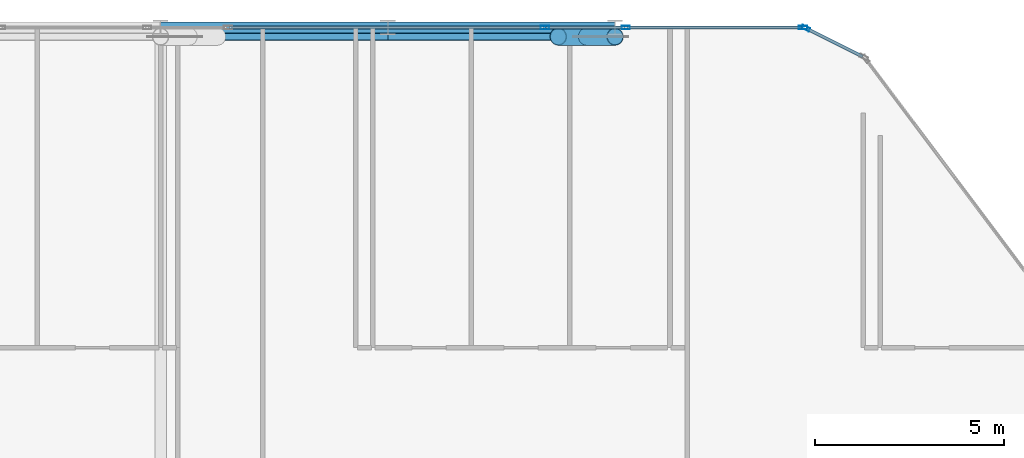
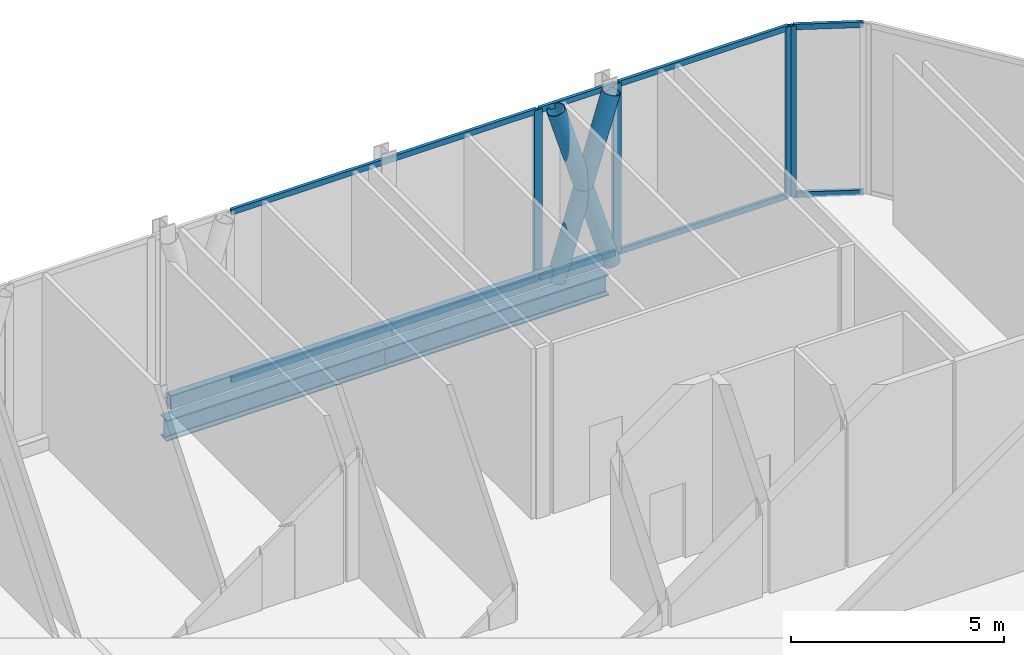
# One storey, part 17 of 36: 17 members, 2 beams, 4 elements without a shape of their own.
"""IFC4 building model written with IfcOpenShell, lengths in metres."""

from ifc_helpers import new_model, si_unit, direction, frame, origin, origin_2d, place, context, subcontext, project, spatial, hollow_rectangle, hollow_circle, i_section, extrude, material, layer, layer_set, material_profile, profile_set, type_object, element, aggregate, save


model = new_model("IFC4")

# Units and contexts
model_context = context("Model", 3, precision=1e-05, world=origin(), true_north=direction((0.0, 1.0)))
body_context = subcontext(model_context, "Body", "Model", "MODEL_VIEW")
ifc_project = project(units=[si_unit("LENGTHUNIT", "METRE"), si_unit("AREAUNIT", "SQUARE_METRE"), si_unit("VOLUMEUNIT", "CUBIC_METRE"), si_unit("PLANEANGLEUNIT", "RADIAN"), si_unit("MASSUNIT", "GRAM", prefix="KILO")], contexts=[model_context])

# Site, building, storey
site_placement = place(None, origin())
site = spatial("IfcSite", under=ifc_project, at=site_placement, CompositionType="ELEMENT")
building_placement = place(site_placement, origin())
building = spatial("IfcBuilding", under=site, at=building_placement, Name="Keshet Zoharim Tower", CompositionType="ELEMENT")
storey_placement = place(building_placement, frame((0.0, 0.0, 81.199951171875)))
storey = spatial("IfcBuildingStorey", under=building, at=storey_placement, Name="L19", CompositionType="ELEMENT", Elevation=81.199951171875)

# Beams
ifc_material_1 = material(Name="Steel S355", Category="steel")
ifc_material_profile_1 = material_profile(ifc_material_1, i_section(OverallWidth=0.300048828125, OverallDepth=0.60009765625, WebThickness=0.015380859375, FlangeThickness=0.030029296875, FilletRadius=0.027099609375, at=origin_2d()), Name="HEB600")
ifc_profile_set_1 = profile_set([ifc_material_profile_1], Name="Steel S355")
beam_type = type_object("IfcBeamType", Name="BM-WEB-HB600", PredefinedType="BEAM", material=ifc_profile_set_1)
for number, where, z_axis, x_axis, name in (
    (1, (33.0, 53.89990234375, -0.719970703125), (1.0, 0.0, 0.0), (0.0, 1.0, 0.0), "L19 Primary Girder X-031"),
    (2, (39.0, 53.89990234375, -0.719970703125), (1.0, 0.0, 0.0), (0.0, 1.0, 0.0), "L19 Primary Girder X-032"),
):
    element("IfcBeam", number, at=place(storey_placement, frame(where, z_axis=z_axis, x_axis=x_axis)), inside=storey, type_object=beam_type, Name=name, PredefinedType="BEAM", context=body_context, shape_type="SweptSolid", body=[
        extrude(i_section(OverallWidth=0.300048828125, OverallDepth=0.60009765625, WebThickness=0.015380859375, FlangeThickness=0.030029296875, FilletRadius=0.027099609375, at=origin_2d()), origin(), (0.0, 0.0, 1.0), 6.0),
    ])

# Curtain wall, member
ifc_material_2 = material(Name="Aluminium 6063-T6", Category="aluminium")
ifc_layer = layer(ifc_material_2, 0.169921875)
ifc_layer_set = layer_set([ifc_layer], Name="Aluminium 6063-T6")
curtain_wall_type = type_object("IfcCurtainWallType", Name="CW-SYS-02", PredefinedType="NOTDEFINED", material=ifc_layer_set)
curtain_wall_1_placement = place(storey_placement, origin())
curtain_wall_1 = element("IfcCurtainWall", 3, at=curtain_wall_1_placement, inside=storey, type_object=curtain_wall_type, Name="L19 Unitised Curtain Wall 07 Part 7", PredefinedType="NOTDEFINED")
ifc_material_profile_2 = material_profile(ifc_material_2, hollow_rectangle(XDim=0.090087890625, YDim=0.219970703125, WallThickness=0.0048828125, at=origin_2d()), Name="MUL-90x220")
ifc_profile_set_2 = profile_set([ifc_material_profile_2], Name="Aluminium 6063-T6")
member_type_1 = type_object("IfcMemberType", Name="CWM-M22", PredefinedType="MULLION", material=ifc_profile_set_2)
member_1_placement = place(storey_placement, frame((43.146484375, 53.89990234375, 0.0), z_axis=(0.0, 0.0, 1.0), x_axis=(0.0, 1.0, 0.0)))
member_1 = element("IfcMember", 4, at=member_1_placement, type_object=member_type_1, Name="CW-02 mullion 2", PredefinedType="MULLION", context=body_context, shape_type="SweptSolid", body=[
    extrude(hollow_rectangle(XDim=0.090087890625, YDim=0.219970703125, WallThickness=0.0048828125, at=origin_2d()), origin(), (0.0, 0.0, 1.0), 4.885009765625),
])

curtain_wall_2_placement = place(storey_placement, origin())
curtain_wall_2 = element("IfcCurtainWall", 5, at=curtain_wall_2_placement, inside=storey, type_object=curtain_wall_type, Name="L19 Unitised Curtain Wall 07 Part 8", PredefinedType="NOTDEFINED")
member_2_placement = place(storey_placement, frame((45.283447265625, 53.89990234375, 0.0), z_axis=(0.0, 0.0, 1.0), x_axis=(0.0, 1.0, 0.0)))
member_2 = element("IfcMember", 6, at=member_2_placement, type_object=member_type_1, Name="CW-02 mullion 2", PredefinedType="MULLION", context=body_context, shape_type="SweptSolid", body=[
    extrude(hollow_rectangle(XDim=0.090087890625, YDim=0.219970703125, WallThickness=0.0048828125, at=origin_2d()), origin(), (0.0, 0.0, 1.0), 4.885009765625),
])

curtain_wall_3_placement = place(storey_placement, origin())
curtain_wall_3 = element("IfcCurtainWall", 7, at=curtain_wall_3_placement, inside=storey, type_object=curtain_wall_type, Name="L19 Unitised Curtain Wall 07 Part 9", PredefinedType="NOTDEFINED")
member_3_placement = place(storey_placement, frame((49.965087890625, 53.89990234375, 0.0), z_axis=(0.0, 0.0, 1.0), x_axis=(0.0, 1.0, 0.0)))
member_3 = element("IfcMember", 8, at=member_3_placement, type_object=member_type_1, Name="CW-02 mullion 2", PredefinedType="MULLION", context=body_context, shape_type="SweptSolid", body=[
    extrude(hollow_rectangle(XDim=0.090087890625, YDim=0.219970703125, WallThickness=0.0048828125, at=origin_2d()), origin(), (0.0, 0.0, 1.0), 4.885009765625),
])

curtain_wall_4_placement = place(storey_placement, origin())
curtain_wall_4 = element("IfcCurtainWall", 9, at=curtain_wall_4_placement, inside=storey, type_object=curtain_wall_type, Name="L19 Unitised Curtain Wall 08", PredefinedType="NOTDEFINED")
member_4_placement = place(storey_placement, frame((50.03125, 53.88427734375, 0.0), z_axis=(0.0, 0.0, 1.0), x_axis=(0.447213595499, 0.894427191001, 0.0)))
member_4 = element("IfcMember", 10, at=member_4_placement, type_object=member_type_1, Name="CW-02 mullion 1", PredefinedType="MULLION", context=body_context, shape_type="SweptSolid", body=[
    extrude(hollow_rectangle(XDim=0.090087890625, YDim=0.219970703125, WallThickness=0.0048828125, at=origin_2d()), origin(), (0.0, 0.0, 1.0), 4.885009765625),
])

# Member
ifc_material_profile_3 = material_profile(ifc_material_2, hollow_rectangle(XDim=0.0849609375, YDim=0.159912109375, WallThickness=0.00439453125, at=origin_2d()), Name="TRN-85x160")
ifc_profile_set_3 = profile_set([ifc_material_profile_3], Name="Aluminium 6063-T6")
member_type_2 = type_object("IfcMemberType", Name="CWT-T16", PredefinedType="USERDEFINED", material=ifc_profile_set_3)
member_5_placement = place(storey_placement, frame((34.818359375, 53.89990234375, 0.03515625), z_axis=(1.0, 0.0, 0.0), x_axis=(0.0, 1.0, 0.0)))
member_5 = element("IfcMember", 11, at=member_5_placement, type_object=member_type_2, Name="CW-02 transom 1.1", ObjectType="TRANSOM", PredefinedType="USERDEFINED", context=body_context, shape_type="SweptSolid", body=[
    extrude(hollow_rectangle(XDim=0.0849609375, YDim=0.159912109375, WallThickness=0.00439453125, at=origin_2d()), origin(), (0.0, 0.0, 1.0), 8.293212890625),
])

member_6_placement = place(storey_placement, frame((34.818359375, 53.89990234375, 4.85009765625), z_axis=(1.0, 0.0, 0.0), x_axis=(0.0, 1.0, 0.0)))
member_6 = element("IfcMember", 12, at=member_6_placement, type_object=member_type_2, Name="CW-02 transom 1.2", ObjectType="TRANSOM", PredefinedType="USERDEFINED", context=body_context, shape_type="SweptSolid", body=[
    extrude(hollow_rectangle(XDim=0.0849609375, YDim=0.159912109375, WallThickness=0.00439453125, at=origin_2d()), origin(), (0.0, 0.0, 1.0), 8.293212890625),
])

aggregate(curtain_wall_1, [member_1, member_5, member_6])

member_7_placement = place(storey_placement, frame((43.181640625, 53.89990234375, 0.03515625), z_axis=(1.0, 0.0, 0.0), x_axis=(0.0, 1.0, 0.0)))
member_7 = element("IfcMember", 13, at=member_7_placement, type_object=member_type_2, Name="CW-02 transom 1.1", ObjectType="TRANSOM", PredefinedType="USERDEFINED", context=body_context, shape_type="SweptSolid", body=[
    extrude(hollow_rectangle(XDim=0.0849609375, YDim=0.159912109375, WallThickness=0.00439453125, at=origin_2d()), origin(), (0.0, 0.0, 1.0), 2.066650390625),
])

member_8_placement = place(storey_placement, frame((43.181640625, 53.89990234375, 4.85009765625), z_axis=(1.0, 0.0, 0.0), x_axis=(0.0, 1.0, 0.0)))
member_8 = element("IfcMember", 14, at=member_8_placement, type_object=member_type_2, Name="CW-02 transom 1.2", ObjectType="TRANSOM", PredefinedType="USERDEFINED", context=body_context, shape_type="SweptSolid", body=[
    extrude(hollow_rectangle(XDim=0.0849609375, YDim=0.159912109375, WallThickness=0.00439453125, at=origin_2d()), origin(), (0.0, 0.0, 1.0), 2.066650390625),
])

aggregate(curtain_wall_2, [member_2, member_7, member_8])

member_9_placement = place(storey_placement, frame((45.318359375, 53.89990234375, 0.03515625), z_axis=(1.0, 0.0, 0.0), x_axis=(0.0, 1.0, 0.0)))
member_9 = element("IfcMember", 15, at=member_9_placement, type_object=member_type_2, Name="CW-02 transom 1.1", ObjectType="TRANSOM", PredefinedType="USERDEFINED", context=body_context, shape_type="SweptSolid", body=[
    extrude(hollow_rectangle(XDim=0.0849609375, YDim=0.159912109375, WallThickness=0.00439453125, at=origin_2d()), origin(), (0.0, 0.0, 1.0), 4.611572265625),
])

member_10_placement = place(storey_placement, frame((45.318359375, 53.89990234375, 4.85009765625), z_axis=(1.0, 0.0, 0.0), x_axis=(0.0, 1.0, 0.0)))
member_10 = element("IfcMember", 16, at=member_10_placement, type_object=member_type_2, Name="CW-02 transom 1.2", ObjectType="TRANSOM", PredefinedType="USERDEFINED", context=body_context, shape_type="SweptSolid", body=[
    extrude(hollow_rectangle(XDim=0.0849609375, YDim=0.159912109375, WallThickness=0.00439453125, at=origin_2d()), origin(), (0.0, 0.0, 1.0), 4.611572265625),
])

aggregate(curtain_wall_3, [member_3, member_9, member_10])

member_11_placement = place(storey_placement, frame((50.0625, 53.86865234375, 0.03515625), z_axis=(0.894456801911, -0.447154368775, 0.0), x_axis=(0.447154368775, 0.894456801911, 0.0)))
member_11 = element("IfcMember", 17, at=member_11_placement, type_object=member_type_2, Name="CW-02 transom 1.1", ObjectType="TRANSOM", PredefinedType="USERDEFINED", context=body_context, shape_type="SweptSolid", body=[
    extrude(hollow_rectangle(XDim=0.0849609375, YDim=0.159912109375, WallThickness=0.00439453125, at=origin_2d()), origin(), (0.0, 0.0, 1.0), 1.64892578125),
])

member_12_placement = place(storey_placement, frame((50.0625, 53.86865234375, 4.85009765625), z_axis=(0.894456801911, -0.447154368775, 0.0), x_axis=(0.447154368775, 0.894456801911, 0.0)))
member_12 = element("IfcMember", 18, at=member_12_placement, type_object=member_type_2, Name="CW-02 transom 1.2", ObjectType="TRANSOM", PredefinedType="USERDEFINED", context=body_context, shape_type="SweptSolid", body=[
    extrude(hollow_rectangle(XDim=0.0849609375, YDim=0.159912109375, WallThickness=0.00439453125, at=origin_2d()), origin(), (0.0, 0.0, 1.0), 1.64892578125),
])

aggregate(curtain_wall_4, [member_4, member_11, member_12])

# Members
ifc_material_profile_4 = material_profile(ifc_material_1, hollow_circle(Radius=0.228515625, WallThickness=0.01611328125, at=origin_2d()), Name="CHS457x16")
ifc_profile_set_4 = profile_set([ifc_material_profile_4], Name="Steel S355")
member_type_3 = type_object("IfcMemberType", Name="MB-BELT-C457", PredefinedType="BRACE", material=ifc_profile_set_4)
member_13_placement = place(storey_placement, frame((45.0, 53.659912109375, 0.0), z_axis=(-0.293535214916, 0.0, 0.955948260945), x_axis=(0.0, -1.0, 0.0)))
element("IfcMember", 19, at=member_13_placement, inside=storey, type_object=member_type_3, Name="L19 Perimeter Belt Truss Continuous Diagonal A06", PredefinedType="BRACE", context=body_context, shape_type="SweptSolid", body=[
    extrude(hollow_circle(Radius=0.228515625, WallThickness=0.01611328125, at=origin_2d()), origin(), (0.0, 0.0, 1.0), 5.110107421875),
])
member_14_placement = place(storey_placement, frame((43.5, 53.659912109375, 0.0), z_axis=(0.293521809364, 0.0, 0.955952377176), x_axis=(0.0, 1.0, 0.0)))
element("IfcMember", 20, at=member_14_placement, inside=storey, type_object=member_type_3, Name="L19 Perimeter Belt Truss Split Diagonal B1-06", PredefinedType="BRACE", context=body_context, shape_type="SweptSolid", body=[
    extrude(hollow_circle(Radius=0.228515625, WallThickness=0.01611328125, at=origin_2d()), origin(), (0.0, 0.0, 1.0), 2.55517578125),
])
member_15_placement = place(storey_placement, frame((44.25, 53.659912109375, 2.442626953125), z_axis=(0.293548621635, 0.0, 0.955944144151), x_axis=(0.0, 1.0, 0.0)))
element("IfcMember", 21, at=member_15_placement, inside=storey, type_object=member_type_3, Name="L19 Perimeter Belt Truss Split Diagonal B2-06", PredefinedType="BRACE", context=body_context, shape_type="SweptSolid", body=[
    extrude(hollow_circle(Radius=0.228515625, WallThickness=0.01611328125, at=origin_2d()), origin(), (0.0, 0.0, 1.0), 2.554931640625),
])
ifc_material_profile_5 = material_profile(ifc_material_1, hollow_rectangle(XDim=0.199951171875, YDim=0.39990234375, WallThickness=0.01611328125, InnerFilletRadius=0.01611328125, OuterFilletRadius=0.02392578125, at=origin_2d()), Name="RHS400x200x16")
ifc_profile_set_5 = profile_set([ifc_material_profile_5], Name="Steel S355")
member_type_4 = type_object("IfcMemberType", Name="MB-CHD-R400", PredefinedType="CHORD", material=ifc_profile_set_5)
for number, where, z_axis, x_axis, name in (
    (22, (33.0, 53.659912109375, 0.199951171875), (1.0, 0.0, 0.0), (0.0, 1.0, 0.0), "L19 Perimeter Belt Truss Chord B05"),
    (23, (39.0, 53.659912109375, 0.199951171875), (1.0, 0.0, 0.0), (0.0, 1.0, 0.0), "L19 Perimeter Belt Truss Chord B06"),
):
    element("IfcMember", number, at=place(storey_placement, frame(where, z_axis=z_axis, x_axis=x_axis)), inside=storey, type_object=member_type_4, Name=name, PredefinedType="CHORD", context=body_context, shape_type="SweptSolid", body=[
        extrude(hollow_rectangle(XDim=0.199951171875, YDim=0.39990234375, WallThickness=0.01611328125, InnerFilletRadius=0.01611328125, OuterFilletRadius=0.02392578125, at=origin_2d()), origin(), (0.0, 0.0, 1.0), 6.0),
    ])

save(model, "model.ifc")
